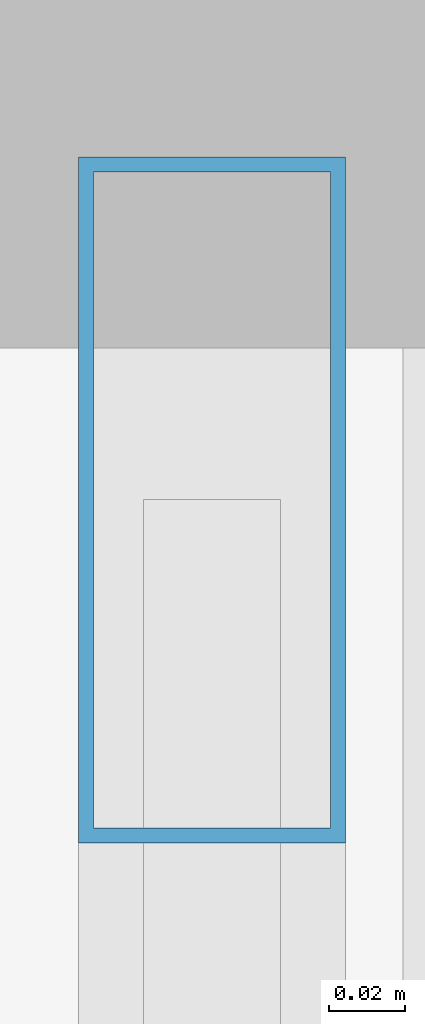
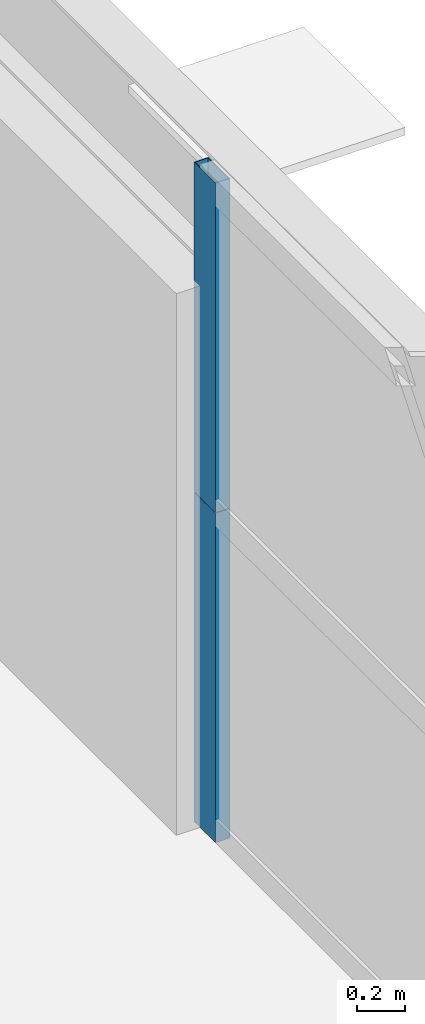
# One storey, part 35 of 45: 2 members, 1 element without a shape of its own.
"""IFC4 building model written with IfcOpenShell, lengths in metres."""

from ifc_helpers import new_model, si_unit, direction, frame, origin, origin_2d, place, context, subcontext, project, spatial, hollow_rectangle, extrude, source, transform, mapped, material, layer, layer_set, material_profile, profile_set, type_object, element, aggregate, save


model = new_model("IFC4")

# Units and contexts
model_context = context("Model", 3, precision=1e-05, world=origin(), true_north=direction((0.0, 1.0)))
body_context = subcontext(model_context, "Body", "Model", "MODEL_VIEW")
ifc_project = project(units=[si_unit("LENGTHUNIT", "METRE"), si_unit("AREAUNIT", "SQUARE_METRE"), si_unit("VOLUMEUNIT", "CUBIC_METRE"), si_unit("PLANEANGLEUNIT", "RADIAN"), si_unit("MASSUNIT", "GRAM", prefix="KILO"), si_unit("THERMODYNAMICTEMPERATUREUNIT", "KELVIN"), si_unit("POWERUNIT", "WATT")], contexts=[model_context])

# Site, building, storey
site_placement = place(None, origin())
site = spatial("IfcSite", under=ifc_project, at=site_placement, CompositionType="ELEMENT")
building_placement = place(site_placement, origin())
building = spatial("IfcBuilding", under=site, at=building_placement, Name="Yuzanri Waterfront Tower", CompositionType="ELEMENT")
storey_placement = place(building_placement, frame((0.0, 0.0, 49.60009765625)))
storey = spatial("IfcBuildingStorey", under=building, at=storey_placement, Name="L12", CompositionType="ELEMENT", Elevation=49.60009765625)

# Curtain wall, members
ifc_material_1 = material(Name="Anodized Architectural Bronze", Category="metal")
ifc_layer = layer(ifc_material_1, 0.159912109375)
ifc_layer_set = layer_set([ifc_layer], Name="Anodized Architectural Bronze")
curtain_wall_type = type_object("IfcCurtainWallType", Name="Anodized Bronze Hotel Lower-Tier Recessed Unitized Curtain Wall 8100", PredefinedType="NOTDEFINED", material=ifc_layer_set)
curtain_wall_placement = place(storey_placement, origin())
curtain_wall = element("IfcCurtainWall", 1, at=curtain_wall_placement, inside=storey, type_object=curtain_wall_type, Name="L12 Curtain Wall CW-L12-ER", PredefinedType="NOTDEFINED")
ifc_material_2 = material(Name="Anodized Architectural Bronze", Category="metal")
ifc_material_profile = material_profile(ifc_material_2, hollow_rectangle(XDim=0.070068359375, YDim=0.179931640625, WallThickness=0.00390625, at=origin_2d()), Name="CWM 70x180")
ifc_profile_set = profile_set([ifc_material_profile], Name="Anodized Architectural Bronze")
member_type = type_object("IfcMemberType", Name="Anodized Bronze Standard Curtain-Wall Mullion 70x180", PredefinedType="MULLION", material=ifc_profile_set)
shared_shape = source(origin(), body_context, "Body", "SweptSolid", [
    extrude(hollow_rectangle(XDim=0.070068359375, YDim=0.179931640625, WallThickness=0.00390625, at=origin_2d()), origin(), (0.0, 0.0, 1.0), 1.68798828125),
])
member_1_placement = place(storey_placement, frame((61.949951171875, 43.510009765625, 0.0), z_axis=(0.0, 0.0, 1.0), x_axis=(1.0, 0.0, 0.0)))
member_1 = element("IfcMember", 2, at=member_1_placement, type_object=member_type, Name="CW-L12-ER Lower Mullion 02", PredefinedType="MULLION", context=body_context, shape_type="MappedRepresentation", body=[
    mapped(shared_shape, transform((0.0, 0.0, 0.0), scale=1.0)),
])
member_2_placement = place(storey_placement, frame((61.949951171875, 43.510009765625, 1.69189453125), z_axis=(0.0, 0.0, 1.0), x_axis=(1.0, 0.0, 0.0)))
member_2 = element("IfcMember", 3, at=member_2_placement, type_object=member_type, Name="CW-L12-ER Upper Mullion 02", PredefinedType="MULLION", context=body_context, shape_type="MappedRepresentation", body=[
    mapped(shared_shape, transform((0.0, 0.0, 0.0), scale=1.0)),
])
aggregate(curtain_wall, [member_1, member_2])

save(model, "model.ifc")
